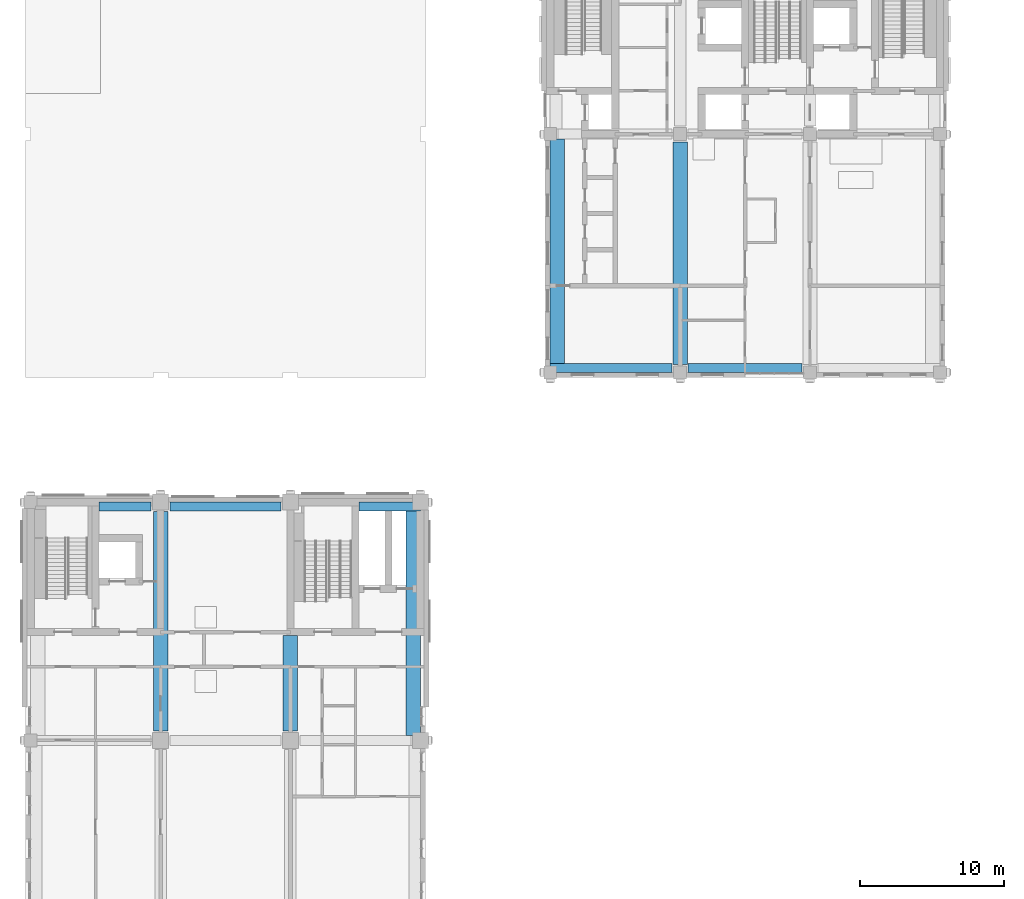
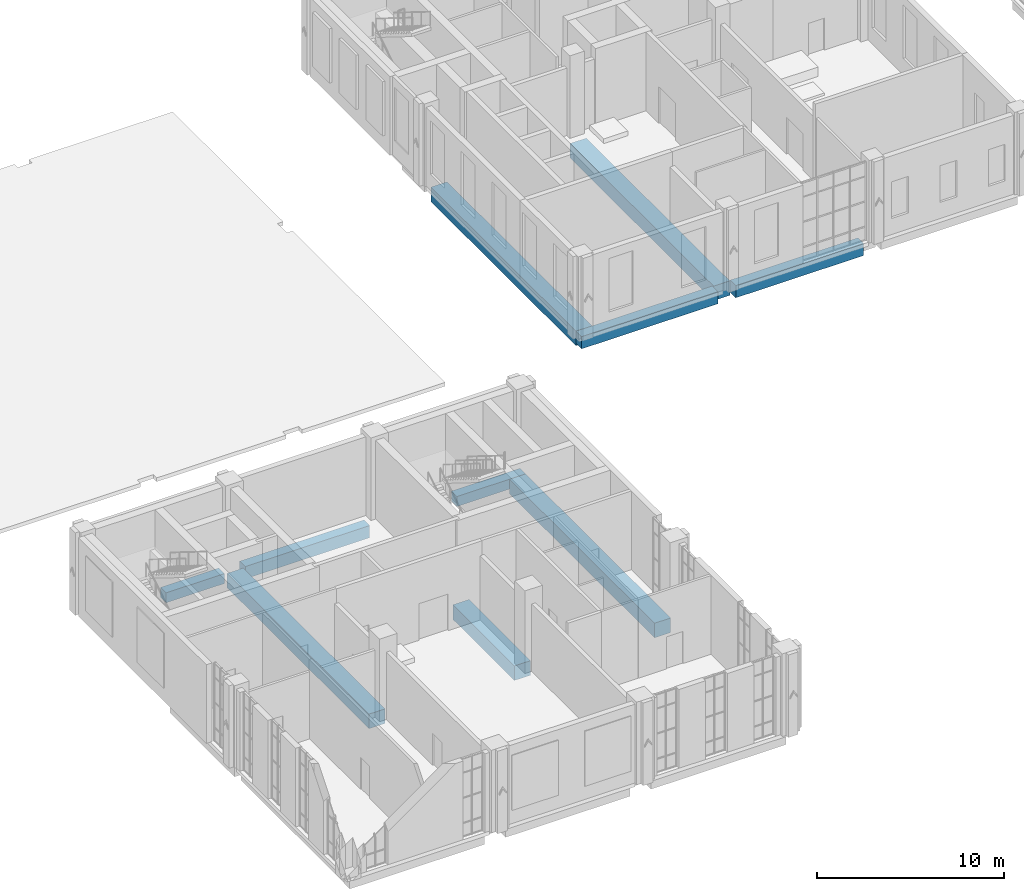
# One storey, part 3 of 33: 10 beams.
"""IFC4 building model written with IfcOpenShell, lengths in metres."""

from ifc_helpers import new_model, si_unit, direction, frame, origin, origin_2d, place, context, subcontext, project, spatial, rectangle, extrude, material, material_profile, profile_set, type_object, element, save


model = new_model("IFC4")

# Units and contexts
model_context = context("Model", 3, precision=1e-05, world=origin(), true_north=direction((0.0, 1.0)))
body_context = subcontext(model_context, "Body", "Model", "MODEL_VIEW")
ifc_project = project(units=[si_unit("LENGTHUNIT", "METRE"), si_unit("AREAUNIT", "SQUARE_METRE"), si_unit("VOLUMEUNIT", "CUBIC_METRE"), si_unit("PLANEANGLEUNIT", "RADIAN"), si_unit("MASSUNIT", "GRAM", prefix="KILO")], contexts=[model_context])

# Site, building, storey
site_placement = place(None, origin())
site = spatial("IfcSite", under=ifc_project, at=site_placement, CompositionType="ELEMENT")
building_placement = place(site_placement, origin())
building = spatial("IfcBuilding", under=site, at=building_placement, Name="Aurelan Courthouse", CompositionType="ELEMENT")
storey_placement = place(building_placement, frame((0.0, 0.0, 22.800048828125)))
storey = spatial("IfcBuildingStorey", under=building, at=storey_placement, Name="L04", CompositionType="ELEMENT", Elevation=22.800048828125)

# Beams
ifc_material = material(Name="Concrete C50", Category="concrete")
ifc_material_profile_1 = material_profile(ifc_material, rectangle(XDim=1.0, YDim=0.949951171875, at=origin_2d()), Name="RC 1000 x 950")
ifc_profile_set_1 = profile_set([ifc_material_profile_1], Name="Concrete C50")
beam_type_1 = type_object("IfcBeamType", Name="PT girder 1000 x 950", PredefinedType="BEAM", material=ifc_profile_set_1)
beam_1_placement = place(storey_placement, frame((36.5, 38.10009765625, -0.72509765625), z_axis=(0.0, 1.0, 0.0), x_axis=(-1.0, 0.0, 0.0)))
element("IfcBeam", 1, at=beam_1_placement, inside=storey, type_object=beam_type_1, Name="Girder GB-5DE-E", PredefinedType="BEAM", context=body_context, shape_type="SweptSolid", body=[
    extrude(rectangle(XDim=1.0, YDim=0.949951171875, at=origin_2d()), origin(), (0.0, 0.0, 1.0), 15.5498046875),
])
beam_2_placement = place(storey_placement, frame((45.0, 38.050048828125, -0.72509765625), z_axis=(0.0, 1.0, 0.0), x_axis=(-1.0, 0.0, 0.0)))
element("IfcBeam", 2, at=beam_2_placement, inside=storey, type_object=beam_type_1, Name="Girder GB-6DE", PredefinedType="BEAM", context=body_context, shape_type="SweptSolid", body=[
    extrude(rectangle(XDim=1.0, YDim=0.949951171875, at=origin_2d()), origin(), (0.0, 0.0, 1.0), 15.39990234375),
])
beam_3_placement = place(storey_placement, frame((9.0, 12.64990234375, -0.72509765625), z_axis=(0.0, 1.0, 0.0), x_axis=(-1.0, 0.0, 0.0)))
element("IfcBeam", 3, at=beam_3_placement, inside=storey, type_object=beam_type_1, Name="Girder GB-2BC", PredefinedType="BEAM", context=body_context, shape_type="SweptSolid", body=[
    extrude(rectangle(XDim=1.0, YDim=0.949951171875, at=origin_2d()), origin(), (0.0, 0.0, 1.0), 15.2001953125),
])
beam_4_placement = place(storey_placement, frame((18.0, 12.64990234375, -0.72509765625), z_axis=(0.0, 1.0, 0.0), x_axis=(-1.0, 0.0, 0.0)))
element("IfcBeam", 4, at=beam_4_placement, inside=storey, type_object=beam_type_1, Name="Girder GB-3BC", PredefinedType="BEAM", context=body_context, shape_type="SweptSolid", body=[
    extrude(rectangle(XDim=1.0, YDim=0.949951171875, at=origin_2d()), origin(), (0.0, 0.0, 1.0), 6.60009765625),
])
beam_5_placement = place(storey_placement, frame((26.5, 12.35009765625, -0.72509765625), z_axis=(0.0, 1.0, 0.0), x_axis=(-1.0, 0.0, 0.0)))
element("IfcBeam", 5, at=beam_5_placement, inside=storey, type_object=beam_type_1, Name="Girder GB-4BC-E", PredefinedType="BEAM", context=body_context, shape_type="SweptSolid", body=[
    extrude(rectangle(XDim=1.0, YDim=0.949951171875, at=origin_2d()), origin(), (0.0, 0.0, 1.0), 15.5498046875),
])
ifc_material_profile_2 = material_profile(ifc_material, rectangle(XDim=0.60009765625, YDim=0.64990234375, at=origin_2d()), Name="RC 600 x 650")
ifc_profile_set_2 = profile_set([ifc_material_profile_2], Name="Concrete C50")
beam_type_2 = type_object("IfcBeamType", Name="RC spandrel beam 600 x 650", PredefinedType="SPANDREL", material=ifc_profile_set_2)
beam_6_placement = place(storey_placement, frame((4.75, 28.199951171875, -0.574951171875), z_axis=(1.0, 0.0, 0.0), x_axis=(0.0, 1.0, 0.0)))
element("IfcBeam", 6, at=beam_6_placement, inside=storey, type_object=beam_type_2, Name="Spandrel beam SB-C-1-2", PredefinedType="SPANDREL", context=body_context, shape_type="SweptSolid", body=[
    extrude(rectangle(XDim=0.60009765625, YDim=0.64990234375, at=origin_2d()), origin(), (0.0, 0.0, 1.0), 3.60009765625),
])
beam_7_placement = place(storey_placement, frame((22.75, 28.199951171875, -0.574951171875), z_axis=(1.0, 0.0, 0.0), x_axis=(0.0, 1.0, 0.0)))
element("IfcBeam", 7, at=beam_7_placement, inside=storey, type_object=beam_type_2, Name="Spandrel beam SB-C-3-4", PredefinedType="SPANDREL", context=body_context, shape_type="SweptSolid", body=[
    extrude(rectangle(XDim=0.60009765625, YDim=0.64990234375, at=origin_2d()), origin(), (0.0, 0.0, 1.0), 4.25),
])
ifc_material_profile_3 = material_profile(ifc_material, rectangle(XDim=0.60009765625, YDim=0.800048828125, at=origin_2d()), Name="RC 600 x 800")
ifc_profile_set_3 = profile_set([ifc_material_profile_3], Name="Concrete C50")
beam_type_3 = type_object("IfcBeamType", Name="RC spandrel beam 600 x 800", PredefinedType="SPANDREL", material=ifc_profile_set_3)
beam_8_placement = place(storey_placement, frame((36.0, 37.800048828125, -0.650146484375), z_axis=(1.0, 0.0, 0.0), x_axis=(0.0, 1.0, 0.0)))
element("IfcBeam", 8, at=beam_8_placement, inside=storey, type_object=beam_type_3, Name="Spandrel beam SB-D-5-6", PredefinedType="SPANDREL", context=body_context, shape_type="SweptSolid", body=[
    extrude(rectangle(XDim=0.60009765625, YDim=0.800048828125, at=origin_2d()), origin(), (0.0, 0.0, 1.0), 8.449951171875),
])
beam_9_placement = place(storey_placement, frame((45.550048828125, 37.800048828125, -0.650146484375), z_axis=(1.0, 0.0, 0.0), x_axis=(0.0, 1.0, 0.0)))
element("IfcBeam", 9, at=beam_9_placement, inside=storey, type_object=beam_type_3, Name="Spandrel beam SB-D-6-7", PredefinedType="SPANDREL", context=body_context, shape_type="SweptSolid", body=[
    extrude(rectangle(XDim=0.60009765625, YDim=0.800048828125, at=origin_2d()), origin(), (0.0, 0.0, 1.0), 7.89990234375),
])
beam_10_placement = place(storey_placement, frame((9.64990234375, 28.199951171875, -0.650146484375), z_axis=(1.0, 0.0, 0.0), x_axis=(0.0, 1.0, 0.0)))
element("IfcBeam", 10, at=beam_10_placement, inside=storey, type_object=beam_type_3, Name="Spandrel beam SB-C-2-3", PredefinedType="SPANDREL", context=body_context, shape_type="SweptSolid", body=[
    extrude(rectangle(XDim=0.60009765625, YDim=0.800048828125, at=origin_2d()), origin(), (0.0, 0.0, 1.0), 7.7001953125),
])

save(model, "model.ifc")
